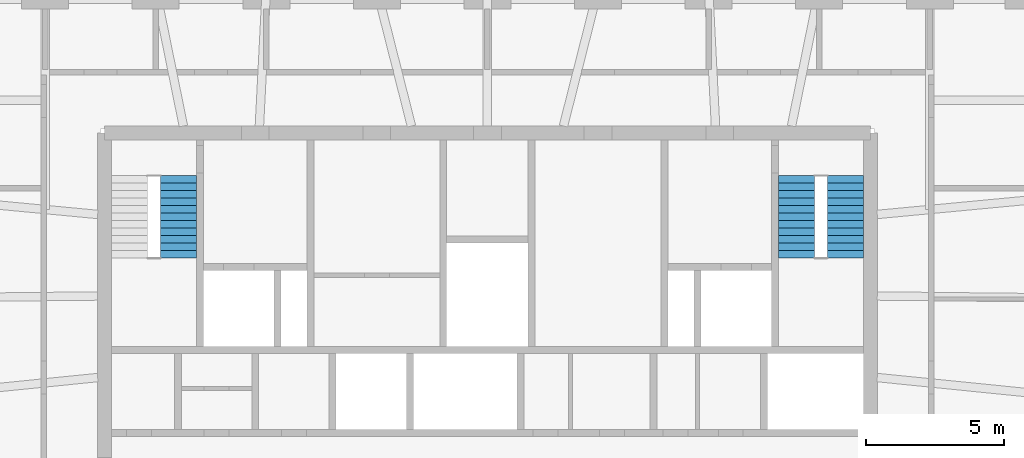
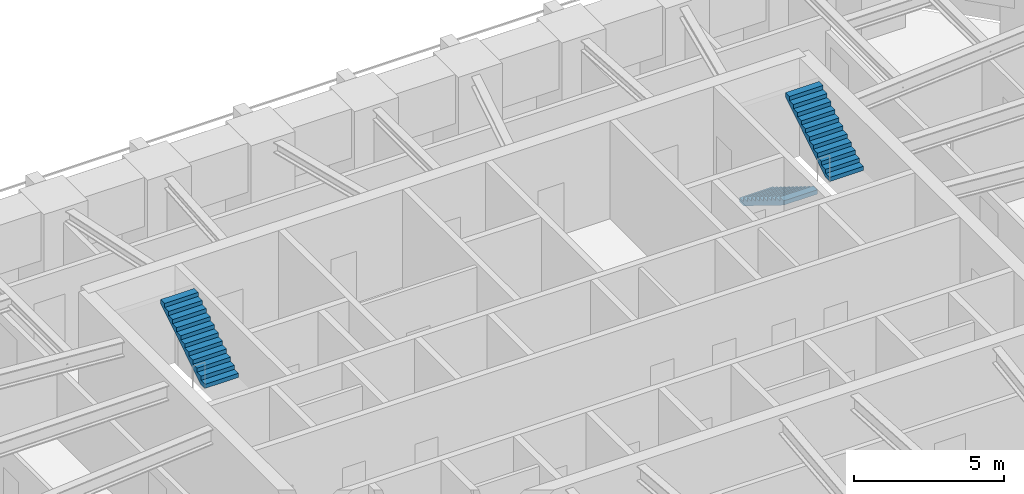
# One storey, part 8 of 11: 3 stair flights, 2 elements without a shape of their own.
"""IFC4 building model written with IfcOpenShell, lengths in metres."""

from ifc_helpers import new_model, si_unit, direction, frame, origin, place, context, subcontext, project, spatial, polyline, outline, extrude, material, type_object, element, aggregate, save


model = new_model("IFC4")

# Units and contexts
model_context = context("Model", 3, precision=1e-05, world=origin(), true_north=direction((0.0, 1.0)))
body_context = subcontext(model_context, "Body", "Model", "MODEL_VIEW")
ifc_project = project(units=[si_unit("LENGTHUNIT", "METRE"), si_unit("AREAUNIT", "SQUARE_METRE"), si_unit("VOLUMEUNIT", "CUBIC_METRE"), si_unit("PLANEANGLEUNIT", "RADIAN"), si_unit("MASSUNIT", "GRAM", prefix="KILO")], contexts=[model_context])

# Site, building, storey
site_placement = place(None, origin())
site = spatial("IfcSite", under=ifc_project, at=site_placement, CompositionType="ELEMENT")
building_placement = place(site_placement, origin())
building = spatial("IfcBuilding", under=site, at=building_placement, Name="Isbrekke Arena Tower", CompositionType="ELEMENT")
storey_placement = place(building_placement, frame((0.0, 0.0, 288.0)))
storey = spatial("IfcBuildingStorey", under=building, at=storey_placement, Name="L67", CompositionType="ELEMENT", Elevation=288.0)

# Stair, stair flight
ifc_material_1 = material(Name="Concrete B45 (C45/55) precast", Category="concrete")
stair_type = type_object("IfcStairType", Name="ST40 STAIR 1300 WIDE, 24 RISERS 167", PredefinedType="HALF_TURN_STAIR", material=ifc_material_1)
stair_1_placement = place(storey_placement, origin())
stair_1 = element("IfcStair", 1, at=stair_1_placement, inside=storey, type_object=stair_type, Name="ST1 stair L67", PredefinedType="HALF_TURN_STAIR")
ifc_material_2 = material(Name="Concrete B45 (C45/55) precast", Category="concrete")
stair_flight_type = type_object("IfcStairFlightType", Name="SF 1300 FLIGHT", PredefinedType="STRAIGHT", material=ifc_material_2)
stair_flight_1_placement = place(storey_placement, frame((-11.175048828125, 19.330078125, 2.0), z_axis=(0.0, 0.0, 1.0), x_axis=(0.0, 1.0, 0.0)))
stair_flight_1 = element("IfcStairFlight", 2, at=stair_flight_1_placement, type_object=stair_flight_type, Name="ST1 flight 2", NumberOfRisers=12, NumberOfTreads=11, PredefinedType="STRAIGHT", RiserHeight=0.166666667, TreadLength=0.27, context=body_context, shape_type="SweptSolid", body=[
    extrude(outline(polyline([(0.0, 0.0), (0.0, 0.166748046875), (0.27001953125, 0.166748046875), (0.27001953125, 0.333251953125), (0.5400390625, 0.333251953125), (0.5400390625, 0.5), (0.81005859375, 0.5), (0.81005859375, 0.666748046875), (1.080078125, 0.666748046875), (1.080078125, 0.833251953125), (1.35009765625, 0.833251953125), (1.35009765625, 1.0), (1.6201171875, 1.0), (1.6201171875, 1.166748046875), (1.889892578125, 1.166748046875), (1.889892578125, 1.333251953125), (2.159912109375, 1.333251953125), (2.159912109375, 1.5), (2.429931640625, 1.5), (2.429931640625, 1.666748046875), (2.699951171875, 1.666748046875), (2.699951171875, 1.833251953125), (2.969970703125, 1.833251953125), (2.969970703125, 2.0), (2.969970703125, 1.6572265625), (0.285400390625, 0.0), (0.0, 0.0)])), frame((0.0, 0.64990234375, 0.0), z_axis=(0.0, -1.0, 0.0), x_axis=(1.0, 0.0, 0.0)), (0.0, 0.0, 1.0), 1.300048828125),
])
aggregate(stair_1, [stair_flight_1])

# Stair, stair flights
stair_2_placement = place(storey_placement, origin())
stair_2 = element("IfcStair", 3, at=stair_2_placement, inside=storey, type_object=stair_type, Name="ST2 stair L67", PredefinedType="HALF_TURN_STAIR")
stair_flight_2_placement = place(storey_placement, frame((11.175048828125, 22.300048828125, 0.0), z_axis=(0.0, 0.0, 1.0), x_axis=(0.0, -1.0, 0.0)))
stair_flight_2 = element("IfcStairFlight", 4, at=stair_flight_2_placement, type_object=stair_flight_type, Name="ST2 flight 1", NumberOfRisers=12, NumberOfTreads=11, PredefinedType="STRAIGHT", RiserHeight=0.166666667, TreadLength=0.27, context=body_context, shape_type="SweptSolid", body=[
    extrude(outline(polyline([(0.0, 0.0), (0.0, 0.166748046875), (0.27001953125, 0.166748046875), (0.27001953125, 0.333251953125), (0.5400390625, 0.333251953125), (0.5400390625, 0.5), (0.81005859375, 0.5), (0.81005859375, 0.666748046875), (1.080078125, 0.666748046875), (1.080078125, 0.833251953125), (1.35009765625, 0.833251953125), (1.35009765625, 1.0), (1.6201171875, 1.0), (1.6201171875, 1.166748046875), (1.889892578125, 1.166748046875), (1.889892578125, 1.333251953125), (2.159912109375, 1.333251953125), (2.159912109375, 1.5), (2.429931640625, 1.5), (2.429931640625, 1.666748046875), (2.699951171875, 1.666748046875), (2.699951171875, 1.833251953125), (2.969970703125, 1.833251953125), (2.969970703125, 2.0), (2.969970703125, 1.6572265625), (0.285400390625, 0.0), (0.0, 0.0)])), frame((0.0, 0.64990234375, 0.0), z_axis=(0.0, -1.0, 0.0), x_axis=(1.0, 0.0, 0.0)), (0.0, 0.0, 1.0), 1.300048828125),
])
stair_flight_3_placement = place(storey_placement, frame((12.949951171875, 19.330078125, 2.0), z_axis=(0.0, 0.0, 1.0), x_axis=(0.0, 1.0, 0.0)))
stair_flight_3 = element("IfcStairFlight", 5, at=stair_flight_3_placement, type_object=stair_flight_type, Name="ST2 flight 2", NumberOfRisers=12, NumberOfTreads=11, PredefinedType="STRAIGHT", RiserHeight=0.166666667, TreadLength=0.27, context=body_context, shape_type="SweptSolid", body=[
    extrude(outline(polyline([(0.0, 0.0), (0.0, 0.166748046875), (0.27001953125, 0.166748046875), (0.27001953125, 0.333251953125), (0.5400390625, 0.333251953125), (0.5400390625, 0.5), (0.81005859375, 0.5), (0.81005859375, 0.666748046875), (1.080078125, 0.666748046875), (1.080078125, 0.833251953125), (1.35009765625, 0.833251953125), (1.35009765625, 1.0), (1.6201171875, 1.0), (1.6201171875, 1.166748046875), (1.889892578125, 1.166748046875), (1.889892578125, 1.333251953125), (2.159912109375, 1.333251953125), (2.159912109375, 1.5), (2.429931640625, 1.5), (2.429931640625, 1.666748046875), (2.699951171875, 1.666748046875), (2.699951171875, 1.833251953125), (2.969970703125, 1.833251953125), (2.969970703125, 2.0), (2.969970703125, 1.6572265625), (0.285400390625, 0.0), (0.0, 0.0)])), frame((0.0, 0.64990234375, 0.0), z_axis=(0.0, -1.0, 0.0), x_axis=(1.0, 0.0, 0.0)), (0.0, 0.0, 1.0), 1.300048828125),
])
aggregate(stair_2, [stair_flight_2, stair_flight_3])

save(model, "model.ifc")
